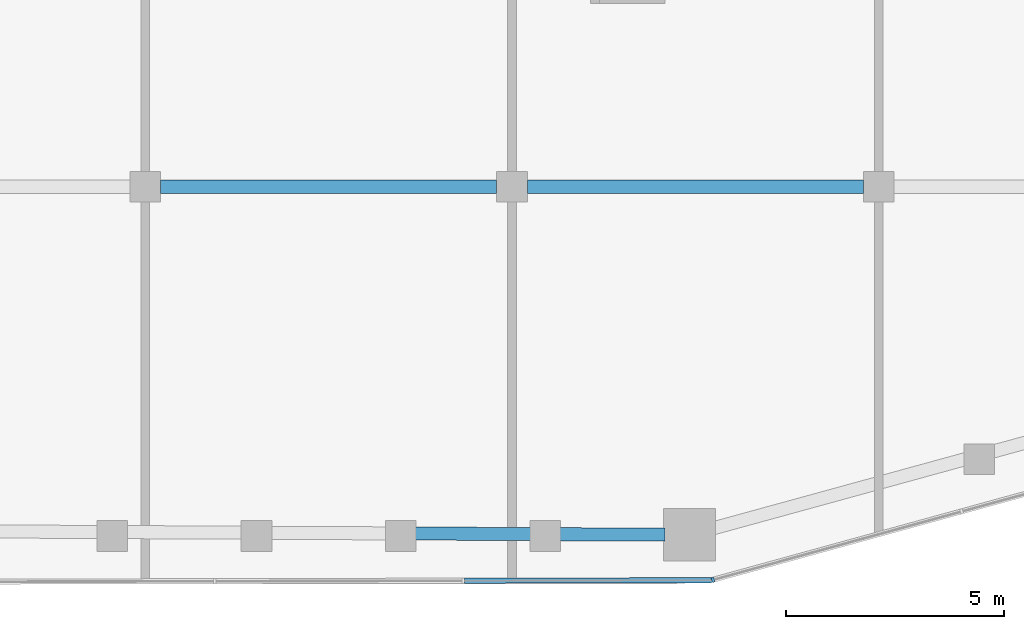
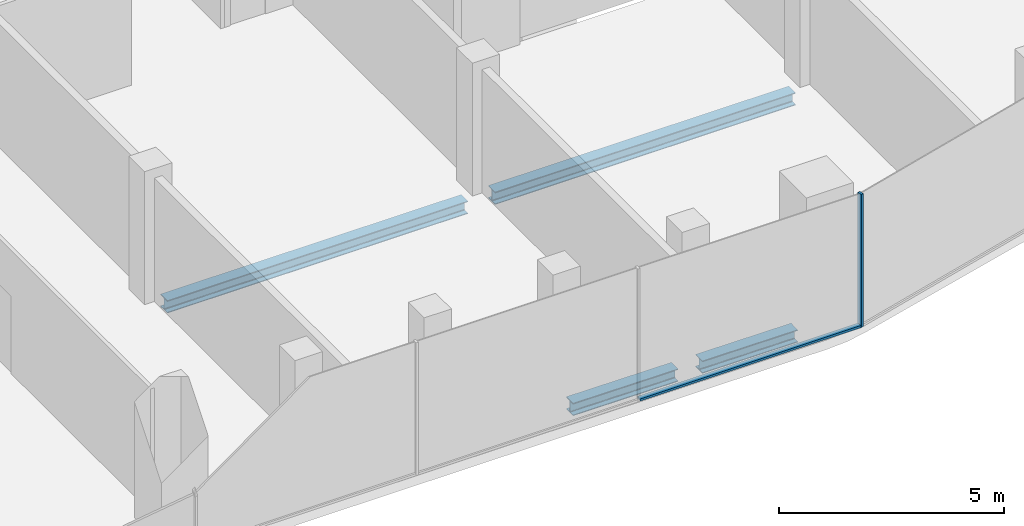
# One storey, part 3 of 19: 4 beams, 2 members, 2 elements without a shape of their own.
"""IFC4 building model written with IfcOpenShell, lengths in metres."""

from ifc_helpers import new_model, si_unit, direction, frame, origin, origin_2d, place, context, subcontext, project, spatial, rectangle, i_section, extrude, material, layer, layer_set, material_profile, profile_set, type_object, element, aggregate, save


model = new_model("IFC4")

# Units and contexts
model_context = context("Model", 3, precision=1e-05, world=origin(), true_north=direction((0.0, 1.0)))
body_context = subcontext(model_context, "Body", "Model", "MODEL_VIEW")
ifc_project = project(units=[si_unit("LENGTHUNIT", "METRE"), si_unit("AREAUNIT", "SQUARE_METRE"), si_unit("VOLUMEUNIT", "CUBIC_METRE"), si_unit("PLANEANGLEUNIT", "RADIAN"), si_unit("MASSUNIT", "GRAM", prefix="KILO")], contexts=[model_context])

# Site, building, storey
site_placement = place(None, origin())
site = spatial("IfcSite", under=ifc_project, at=site_placement, CompositionType="ELEMENT")
building_placement = place(site_placement, origin())
building = spatial("IfcBuilding", under=site, at=building_placement, Name="Marenta Gate Hotel Tower", CompositionType="ELEMENT")
storey_placement = place(building_placement, frame((0.0, 0.0, 274.10009765625)))
storey = spatial("IfcBuildingStorey", under=building, at=storey_placement, Name="L63", CompositionType="ELEMENT", Elevation=274.10009765625)

# Beams
ifc_material_1 = material(Name="Steel S355", Category="steel")
ifc_material_profile_1 = material_profile(ifc_material_1, i_section(OverallWidth=0.300048828125, OverallDepth=0.340087890625, WebThickness=0.011962890625, FlangeThickness=0.021484375, FilletRadius=0.027099609375, at=origin_2d()), Name="HEB 340")
ifc_profile_set_1 = profile_set([ifc_material_profile_1], Name="Steel S355")
beam_type_1 = type_object("IfcBeamType", Name="Edge beam HEB 340", PredefinedType="SPANDREL", material=ifc_profile_set_1)
beam_1_placement = place(storey_placement, frame((7.706298828125, -33.169921875, -0.43017578125), z_axis=(-0.999988431664, 0.004810045568, 0.0), x_axis=(-0.004810045568, -0.999988431664, 0.0)))
element("IfcBeam", 1, at=beam_1_placement, inside=storey, type_object=beam_type_1, Name="L63-EB-31", PredefinedType="SPANDREL", context=body_context, shape_type="SweptSolid", body=[
    extrude(i_section(OverallWidth=0.300048828125, OverallDepth=0.340087890625, WebThickness=0.011962890625, FlangeThickness=0.021484375, FilletRadius=0.027099609375, at=origin_2d()), origin(), (0.0, 0.0, 1.0), 2.436279296875),
])
beam_2_placement = place(storey_placement, frame((4.650146484375, -33.1552734375, -0.43017578125), z_axis=(-0.999988403309, 0.004815936881, 0.0), x_axis=(-0.004815936881, -0.999988403309, 0.0)))
element("IfcBeam", 2, at=beam_2_placement, inside=storey, type_object=beam_type_1, Name="L63-EB-32", PredefinedType="SPANDREL", context=body_context, shape_type="SweptSolid", body=[
    extrude(i_section(OverallWidth=0.300048828125, OverallDepth=0.340087890625, WebThickness=0.011962890625, FlangeThickness=0.021484375, FilletRadius=0.027099609375, at=origin_2d()), origin(), (0.0, 0.0, 1.0), 2.686767578125),
])
ifc_material_2 = material(Name="Steel S355", Category="steel")
ifc_material_profile_2 = material_profile(ifc_material_2, i_section(OverallWidth=0.300048828125, OverallDepth=0.340087890625, WebThickness=0.011962890625, FlangeThickness=0.021484375, FilletRadius=0.027099609375, at=origin_2d()), Name="HEB 340")
ifc_profile_set_2 = profile_set([ifc_material_profile_2], Name="Steel S355")
beam_type_2 = type_object("IfcBeamType", Name="Girder HEB 340", PredefinedType="BEAM", material=ifc_profile_set_2)
beam_3_placement = place(storey_placement, frame((-3.85009765625, -25.199951171875, -0.43017578125), z_axis=(1.0, 0.0, 0.0), x_axis=(0.0, 1.0, 0.0)))
element("IfcBeam", 3, at=beam_3_placement, inside=storey, type_object=beam_type_2, Name="L63-GD-3", PredefinedType="BEAM", context=body_context, shape_type="SweptSolid", body=[
    extrude(i_section(OverallWidth=0.300048828125, OverallDepth=0.340087890625, WebThickness=0.011962890625, FlangeThickness=0.021484375, FilletRadius=0.027099609375, at=origin_2d()), origin(), (0.0, 0.0, 1.0), 7.7001953125),
])
beam_4_placement = place(storey_placement, frame((4.550048828125, -25.199951171875, -0.43017578125), z_axis=(1.0, 0.0, 0.0), x_axis=(0.0, 1.0, 0.0)))
element("IfcBeam", 4, at=beam_4_placement, inside=storey, type_object=beam_type_2, Name="L63-GD-4", PredefinedType="BEAM", context=body_context, shape_type="SweptSolid", body=[
    extrude(i_section(OverallWidth=0.300048828125, OverallDepth=0.340087890625, WebThickness=0.011962890625, FlangeThickness=0.021484375, FilletRadius=0.027099609375, at=origin_2d()), origin(), (0.0, 0.0, 1.0), 7.699951171875),
])

# Curtain wall, member
ifc_material_3 = material(Name="Tinted insulated glass in bronze anodised frame", Category="glass")
ifc_layer = layer(ifc_material_3, 0.1201171875)
ifc_layer_set = layer_set([ifc_layer], Name="Tinted insulated glass in bronze anodised frame")
curtain_wall_type = type_object("IfcCurtainWallType", Name="Tower unitised curtain wall CW1", PredefinedType="NOTDEFINED", material=ifc_layer_set)
curtain_wall_1_placement = place(storey_placement, origin())
curtain_wall_1 = element("IfcCurtainWall", 5, at=curtain_wall_1_placement, inside=storey, type_object=curtain_wall_type, Name="CW1 run G08", PredefinedType="NOTDEFINED")
ifc_material_4 = material(Name="Bronze anodised aluminium", Category="aluminium")
ifc_material_profile_3 = material_profile(ifc_material_4, rectangle(XDim=0.1201171875, YDim=0.06005859375, at=origin_2d()), Name="Mullion CW1 60x120 bronze anodised aluminium")
ifc_profile_set_3 = profile_set([ifc_material_profile_3], Name="Bronze anodised aluminium")
member_type_1 = type_object("IfcMemberType", Name="Mullion CW1 60x120 bronze anodised aluminium", PredefinedType="MULLION", material=ifc_profile_set_3)
member_1_placement = place(storey_placement, frame((8.803955078125, -34.2041015625, 0.0), z_axis=(0.0, 0.0, 1.0), x_axis=(-0.265292115151, 0.964168083707, 0.0)))
member_1 = element("IfcMember", 6, at=member_1_placement, type_object=member_type_1, Name="CW1 mullion 1", PredefinedType="MULLION", context=body_context, shape_type="SweptSolid", body=[
    extrude(rectangle(XDim=0.1201171875, YDim=0.06005859375, at=origin_2d()), origin(), (0.0, 0.0, 1.0), 3.599853515625),
])
aggregate(curtain_wall_1, [member_1])

curtain_wall_2_placement = place(storey_placement, origin())
curtain_wall_2 = element("IfcCurtainWall", 7, at=curtain_wall_2_placement, inside=storey, type_object=curtain_wall_type, Name="CW1 run G07", PredefinedType="NOTDEFINED")
ifc_material_5 = material(Name="Bronze anodised aluminium", Category="aluminium")
ifc_material_profile_4 = material_profile(ifc_material_5, rectangle(XDim=0.1201171875, YDim=0.06005859375, at=origin_2d()), Name="Transom CW1 60x120 bronze anodised aluminium")
ifc_profile_set_4 = profile_set([ifc_material_profile_4], Name="Bronze anodised aluminium")
member_type_2 = type_object("IfcMemberType", Name="Transom CW1 60x120 bronze anodised aluminium", PredefinedType="USERDEFINED", material=ifc_profile_set_4)
member_2_placement = place(storey_placement, frame((3.111328125, -34.223876953125, 0.02978515625), z_axis=(0.999997859513, 0.002069050272, 0.0), x_axis=(-0.002069050272, 0.999997859513, 0.0)))
member_2 = element("IfcMember", 8, at=member_2_placement, type_object=member_type_2, Name="CW1 transom 3.1", ObjectType="TRANSOM", PredefinedType="USERDEFINED", context=body_context, shape_type="SweptSolid", body=[
    extrude(rectangle(XDim=0.1201171875, YDim=0.06005859375, at=origin_2d()), origin(), (0.0, 0.0, 1.0), 5.663818359375),
])
aggregate(curtain_wall_2, [member_2])

save(model, "model.ifc")
